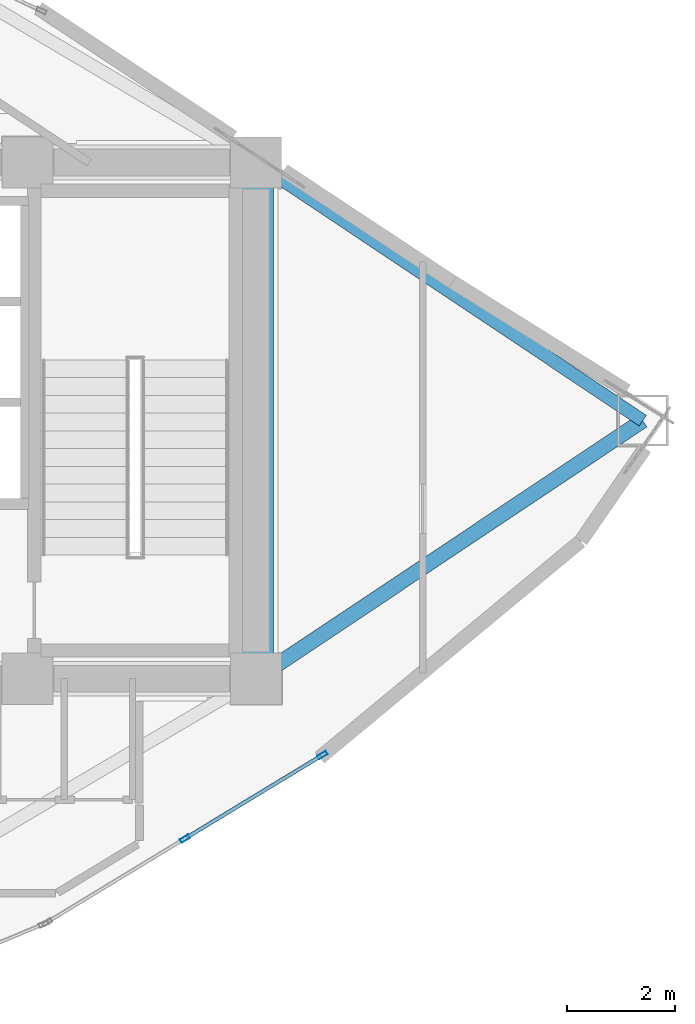
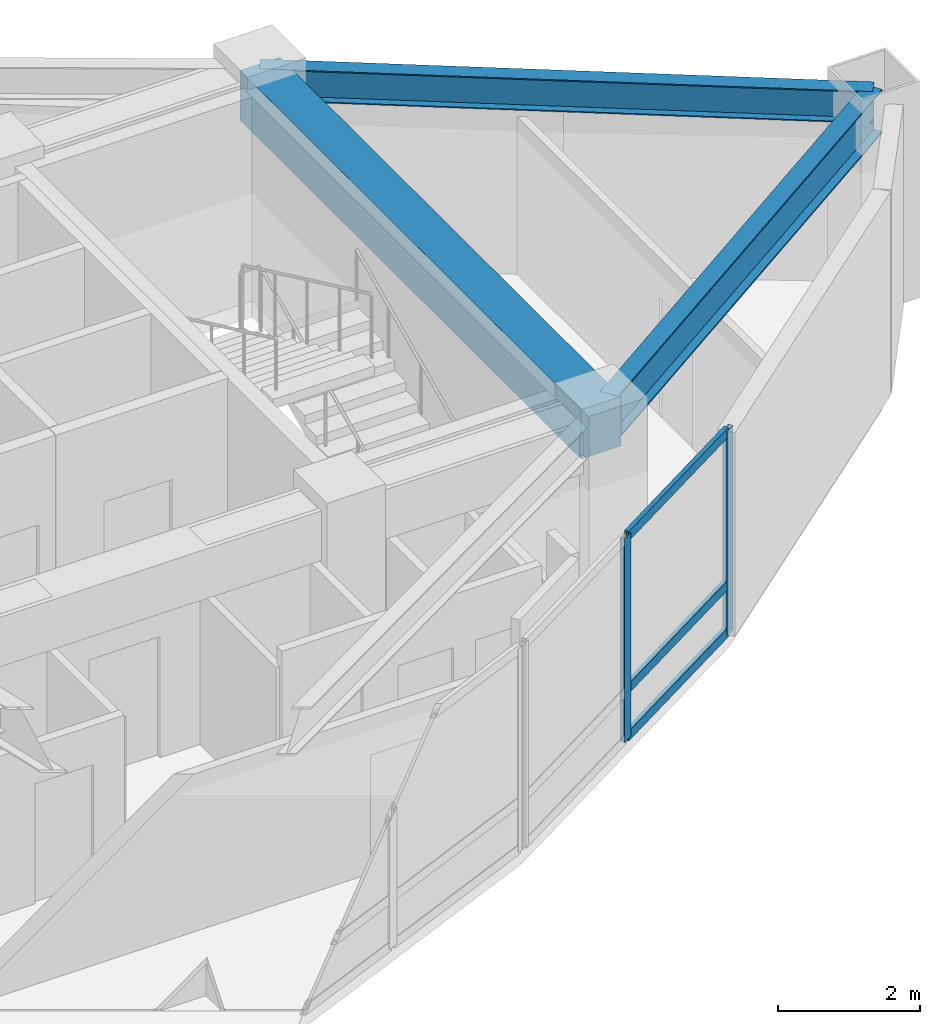
# One storey, part 10 of 16: 5 members, 3 beams, 1 element without a shape of its own.
"""IFC4 building model written with IfcOpenShell, lengths in metres."""

from ifc_helpers import new_model, si_unit, direction, frame, origin, origin_2d, place, context, subcontext, project, spatial, rectangle, hollow_rectangle, i_section, extrude, material, layer, layer_set, material_profile, profile_set, type_object, element, aggregate, save


model = new_model("IFC4")

# Units and contexts
model_context = context("Model", 3, precision=1e-05, world=origin(), true_north=direction((0.0, 1.0)))
body_context = subcontext(model_context, "Body", "Model", "MODEL_VIEW")
ifc_project = project(units=[si_unit("LENGTHUNIT", "METRE"), si_unit("AREAUNIT", "SQUARE_METRE"), si_unit("VOLUMEUNIT", "CUBIC_METRE"), si_unit("PLANEANGLEUNIT", "RADIAN"), si_unit("MASSUNIT", "GRAM", prefix="KILO")], contexts=[model_context])

# Site, building, storey
site_placement = place(None, origin())
site = spatial("IfcSite", under=ifc_project, at=site_placement, CompositionType="ELEMENT")
building_placement = place(site_placement, origin())
building = spatial("IfcBuilding", under=site, at=building_placement, Name="Menara Vayukalpa", CompositionType="ELEMENT")
storey_placement = place(building_placement, frame((0.0, 0.0, 195.239990234375)))
storey = spatial("IfcBuildingStorey", under=building, at=storey_placement, Name="L49", CompositionType="ELEMENT", Elevation=195.239990234375)

# Beams
ifc_material_1 = material(Name="Concrete C60/75", Category="concrete")
ifc_material_profile_1 = material_profile(ifc_material_1, rectangle(XDim=0.64990234375, YDim=0.85009765625, at=origin_2d()), Name="RC 650x850")
ifc_profile_set_1 = profile_set([ifc_material_profile_1], Name="Concrete C60/75")
beam_type_1 = type_object("IfcBeamType", Name="BM-CB1", PredefinedType="BEAM", material=ifc_profile_set_1)
beam_1_placement = place(storey_placement, frame((33.39990234375, 17.199951171875, 3.074951171875), z_axis=(0.0, 1.0, 0.0), x_axis=(-1.0, 0.0, 0.0)))
element("IfcBeam", 1, at=beam_1_placement, inside=storey, type_object=beam_type_1, Name="L49 Core Tie Beam CBR8", PredefinedType="BEAM", context=body_context, shape_type="SweptSolid", body=[
    extrude(rectangle(XDim=0.64990234375, YDim=0.85009765625, at=origin_2d()), origin(), (0.0, 0.0, 1.0), 9.60009765625),
])
ifc_material_2 = material(Name="Steel S355", Category="steel")
ifc_material_profile_2 = material_profile(ifc_material_2, i_section(OverallWidth=0.280029296875, OverallDepth=0.75, WebThickness=0.013916015625, FlangeThickness=0.02490234375, at=origin_2d()), Name="WF 750x280x14x25")
ifc_profile_set_2 = profile_set([ifc_material_profile_2], Name="Steel S355")
beam_type_2 = type_object("IfcBeamType", Name="BM-PG4", PredefinedType="BEAM", material=ifc_profile_set_2)
beam_2_placement = place(storey_placement, frame((33.60791015625, 17.3388671875, 3.125), z_axis=(0.831719080732, 0.555196695547, 0.0), x_axis=(-0.555196695547, 0.831719080732, 0.0)))
element("IfcBeam", 2, at=beam_2_placement, inside=storey, type_object=beam_type_2, Name="L49 Primary Radial Girder RG01", PredefinedType="BEAM", context=body_context, shape_type="SweptSolid", body=[
    extrude(i_section(OverallWidth=0.280029296875, OverallDepth=0.75, WebThickness=0.013916015625, FlangeThickness=0.02490234375, at=origin_2d()), origin(), (0.0, 0.0, 1.0), 8.3955078125),
])
ifc_material_3 = material(Name="Steel S355", Category="steel")
ifc_material_profile_3 = material_profile(ifc_material_3, i_section(OverallWidth=0.239990234375, OverallDepth=0.550048828125, WebThickness=0.010986328125, FlangeThickness=0.01904296875, at=origin_2d()), Name="WF 550x240x11x19")
ifc_profile_set_3 = profile_set([ifc_material_profile_3], Name="Steel S355")
beam_type_3 = type_object("IfcBeamType", Name="BM-SP2", PredefinedType="SPANDREL", material=ifc_profile_set_3)
beam_3_placement = place(storey_placement, frame((40.590576171875, 22.0, 3.22509765625), z_axis=(-0.831715622571, 0.555201876052, 0.0), x_axis=(-0.555201876052, -0.831715622571, 0.0)))
element("IfcBeam", 3, at=beam_3_placement, inside=storey, type_object=beam_type_3, Name="L49 Perimeter Spandrel Beam SP01", PredefinedType="SPANDREL", context=body_context, shape_type="SweptSolid", body=[
    extrude(i_section(OverallWidth=0.239990234375, OverallDepth=0.550048828125, WebThickness=0.010986328125, FlangeThickness=0.01904296875, at=origin_2d()), origin(), (0.0, 0.0, 1.0), 8.6455078125),
])

# Curtain wall, members
ifc_material_4 = material(Name="Anodised Terracotta Aluminium Alloy 6063-T6", Category="masonry")
ifc_layer = layer(ifc_material_4, 0.179931640625)
ifc_layer_set = layer_set([ifc_layer], Name="Anodised Terracotta Aluminium Alloy 6063-T6")
curtain_wall_type = type_object("IfcCurtainWallType", Name="CW-CW4", PredefinedType="USERDEFINED", material=ifc_layer_set)
curtain_wall_placement = place(storey_placement, origin())
curtain_wall = element("IfcCurtainWall", 4, at=curtain_wall_placement, inside=storey, type_object=curtain_wall_type, Name="L49 Sky Bar Cantilever Glazed Curtain Wall CW4 20", ObjectType="UNITISED", PredefinedType="USERDEFINED")
ifc_material_5 = material(Name="Anodised Terracotta Aluminium Alloy 6063-T6", Category="masonry")
ifc_material_profile_4 = material_profile(ifc_material_5, hollow_rectangle(XDim=0.074951171875, YDim=0.179931640625, WallThickness=0.00390625, at=origin_2d()), Name="ALU 75x180x4")
ifc_profile_set_4 = profile_set([ifc_material_profile_4], Name="Anodised Terracotta Aluminium Alloy 6063-T6")
member_type_1 = type_object("IfcMemberType", Name="CWM-CW4", PredefinedType="MULLION", material=ifc_profile_set_4)
member_1_placement = place(storey_placement, frame((32.075439453125, 14.226318359375, 0.0), z_axis=(0.0, 0.0, 1.0), x_axis=(-0.519179911779, 0.854664974832, 0.0)))
member_1 = element("IfcMember", 5, at=member_1_placement, type_object=member_type_1, Name="CW4 mullion 2", PredefinedType="MULLION", context=body_context, shape_type="SweptSolid", body=[
    extrude(hollow_rectangle(XDim=0.074951171875, YDim=0.179931640625, WallThickness=0.00390625, at=origin_2d()), origin(), (0.0, 0.0, 1.0), 3.5),
])
member_2_placement = place(storey_placement, frame((34.63525390625, 15.78125, 0.0), z_axis=(0.0, 0.0, 1.0), x_axis=(-0.519179911779, 0.854664974832, 0.0)))
member_2 = element("IfcMember", 6, at=member_2_placement, type_object=member_type_1, Name="CW4 mullion 3", PredefinedType="MULLION", context=body_context, shape_type="SweptSolid", body=[
    extrude(hollow_rectangle(XDim=0.074951171875, YDim=0.179931640625, WallThickness=0.00390625, at=origin_2d()), origin(), (0.0, 0.0, 1.0), 3.5),
])
ifc_material_6 = material(Name="Anodised Terracotta Aluminium Alloy 6063-T6", Category="masonry")
ifc_material_profile_5 = material_profile(ifc_material_6, hollow_rectangle(XDim=0.070068359375, YDim=0.1650390625, WallThickness=0.00390625, at=origin_2d()), Name="ALU 70x165x4")
ifc_profile_set_5 = profile_set([ifc_material_profile_5], Name="Anodised Terracotta Aluminium Alloy 6063-T6")
member_type_2 = type_object("IfcMemberType", Name="CWT-CW4", PredefinedType="USERDEFINED", material=ifc_profile_set_5)
member_3_placement = place(storey_placement, frame((32.107666015625, 14.245849609375, 0.034912109375), z_axis=(0.854684171336, 0.519148309511, 0.0), x_axis=(-0.519148309511, 0.854684171336, 0.0)))
member_3 = element("IfcMember", 7, at=member_3_placement, type_object=member_type_2, Name="CW4 transom 2.1", ObjectType="TRANSOM", PredefinedType="USERDEFINED", context=body_context, shape_type="SweptSolid", body=[
    extrude(hollow_rectangle(XDim=0.070068359375, YDim=0.1650390625, WallThickness=0.00390625, at=origin_2d()), origin(), (0.0, 0.0, 1.0), 2.919921875),
])
member_4_placement = place(storey_placement, frame((32.107666015625, 14.245849609375, 0.85009765625), z_axis=(0.854684171336, 0.519148309511, 0.0), x_axis=(-0.519148309511, 0.854684171336, 0.0)))
member_4 = element("IfcMember", 8, at=member_4_placement, type_object=member_type_2, Name="CW4 transom 2.2", ObjectType="TRANSOM", PredefinedType="USERDEFINED", context=body_context, shape_type="SweptSolid", body=[
    extrude(hollow_rectangle(XDim=0.070068359375, YDim=0.1650390625, WallThickness=0.00390625, at=origin_2d()), origin(), (0.0, 0.0, 1.0), 2.919921875),
])
member_5_placement = place(storey_placement, frame((32.107666015625, 14.245849609375, 3.465087890625), z_axis=(0.854684171336, 0.519148309511, 0.0), x_axis=(-0.519148309511, 0.854684171336, 0.0)))
member_5 = element("IfcMember", 9, at=member_5_placement, type_object=member_type_2, Name="CW4 transom 2.3", ObjectType="TRANSOM", PredefinedType="USERDEFINED", context=body_context, shape_type="SweptSolid", body=[
    extrude(hollow_rectangle(XDim=0.070068359375, YDim=0.1650390625, WallThickness=0.00390625, at=origin_2d()), origin(), (0.0, 0.0, 1.0), 2.919921875),
])
aggregate(curtain_wall, [member_1, member_2, member_3, member_4, member_5])

save(model, "model.ifc")
